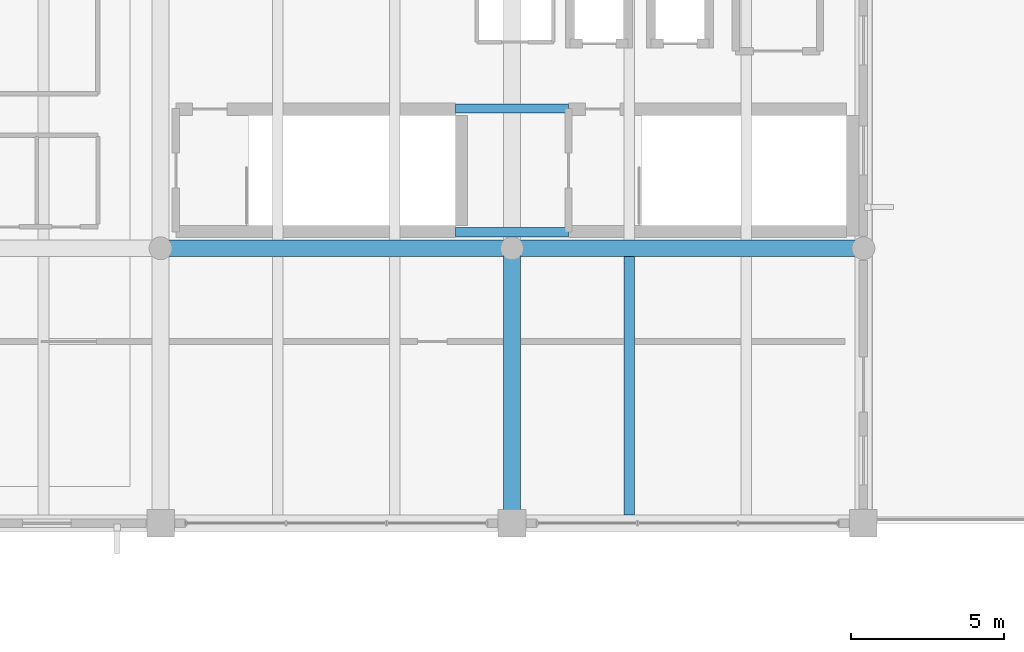
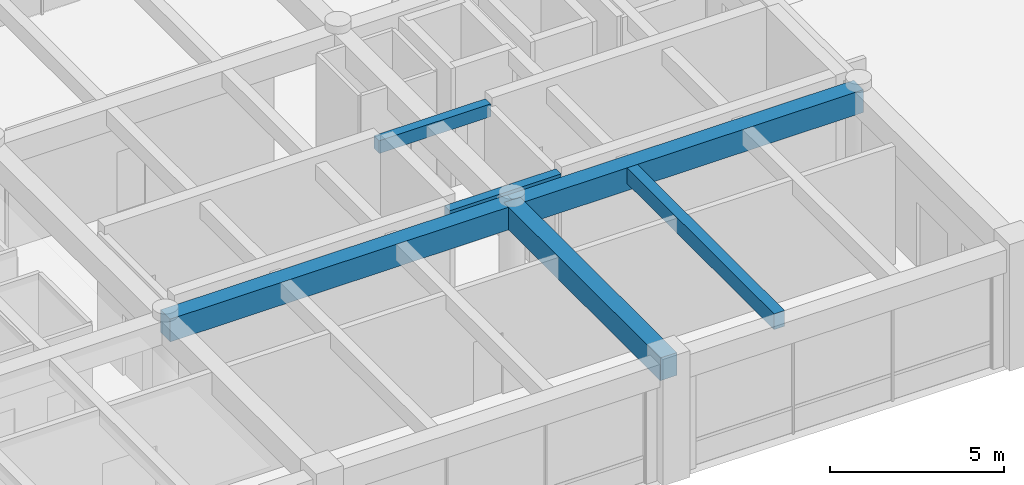
# One storey, part 14 of 27: 6 beams.
"""IFC4 building model written with IfcOpenShell, lengths in metres."""

import ifcopenshell
import ifcopenshell.guid

model = None  # the IFC model being written
_history = None  # IfcOwnerHistory: only IFC2X3 demands one
_inside = {}  # id of a spatial element -> (the spatial element, [elements in it])
_under = {}  # id of a project, library or spatial element -> (it, [spatial elements below it])
_declared = {}  # id of a project -> (the project, [libraries it declares])
_typed = {}  # id of a type object -> (the type object, [elements of that type])
_made_of = {}  # id of a material, layer set ... -> (it, [elements and type objects made of it])


def new_model(schema):
    """Start an empty IFC model of exactly this schema.

    Asked for "IFC4X3", IfcOpenShell would pick the latest addendum, in which some entities
    have other attributes; the version numbers below select the first issue.
    IFC2X3 requires an IfcOwnerHistory on every rooted entity: one is made here for all.
    """
    global model, _history
    if schema == "IFC4X3":
        model = ifcopenshell.file(schema_version=(4, 3, 0, 0))
    else:
        model = ifcopenshell.file(schema=schema)
    _inside.clear()
    _under.clear()
    _declared.clear()
    _typed.clear()
    _made_of.clear()
    _history = None
    if model.schema == "IFC2X3":
        org = make("IfcOrganization", Name="unknown")
        user = make(
            "IfcPersonAndOrganization",
            ThePerson=make("IfcPerson", FamilyName="unknown"),
            TheOrganization=org,
        )
        app = make(
            "IfcApplication",
            ApplicationDeveloper=org,
            Version="unknown",
            ApplicationFullName="unknown",
            ApplicationIdentifier="unknown",
        )
        _history = make(
            "IfcOwnerHistory",
            OwningUser=user,
            OwningApplication=app,
            ChangeAction="ADDED",
            CreationDate=0,
        )
    return model


def make(cls, **values):
    """One entity of the class cls with the attributes given. An attribute that is None is left unset."""
    return model.create_entity(
        cls, **{name: value for name, value in values.items() if value is not None}
    )


def rooted(cls, **values):
    """An entity with a GlobalId (a new one), such as an element, a storey or a relation."""
    return make(cls, GlobalId=ifcopenshell.guid.new(), OwnerHistory=_history, **values)


def si_unit(unit_type, name, prefix=None):
    """IfcSIUnit, for example si_unit("LENGTHUNIT", "METRE", prefix="MILLI")."""
    return make("IfcSIUnit", UnitType=unit_type, Prefix=prefix, Name=name)


def assignment(units):
    """IfcUnitAssignment: the units of a project."""
    return None if units is None else make("IfcUnitAssignment", Units=units)


def point(xyz):
    """IfcCartesianPoint."""
    return None if xyz is None else make("IfcCartesianPoint", Coordinates=xyz)


def direction(xyz):
    """IfcDirection."""
    return None if xyz is None else make("IfcDirection", DirectionRatios=xyz)


def frame(location, z_axis=None, x_axis=None):
    """IfcAxis2Placement3D, a coordinate frame: its origin and axes. An axis left out is left unset."""
    return make(
        "IfcAxis2Placement3D",
        Location=point(location),
        Axis=direction(z_axis),
        RefDirection=direction(x_axis),
    )


def frame_2d(location, x_axis=None):
    """IfcAxis2Placement2D, a coordinate frame in the plane: its origin and x axis."""
    return make(
        "IfcAxis2Placement2D", Location=point(location), RefDirection=direction(x_axis)
    )


def origin():
    """The frame at (0, 0, 0) with its axes left unset."""
    return frame((0.0, 0.0, 0.0))


def origin_2d():
    """The frame at (0, 0) in the plane with its x axis left unset."""
    return frame_2d((0.0, 0.0))


def place(relative_to, where):
    """IfcLocalPlacement: puts the frame where relative to a parent placement (None: the world)."""
    return make(
        "IfcLocalPlacement", PlacementRelTo=relative_to, RelativePlacement=where
    )


def context(
    kind, dimensions, precision=None, world=None, true_north=None, identifier=None
):
    """IfcGeometricRepresentationContext, for example the 3D "Model" context."""
    return make(
        "IfcGeometricRepresentationContext",
        ContextIdentifier=identifier,
        ContextType=kind,
        CoordinateSpaceDimension=dimensions,
        Precision=precision,
        WorldCoordinateSystem=world,
        TrueNorth=true_north,
    )


def subcontext(parent, identifier, kind, view, scale=None):
    """IfcGeometricRepresentationSubContext, for example "Body" below "Model"."""
    return make(
        "IfcGeometricRepresentationSubContext",
        ContextIdentifier=identifier,
        ContextType=kind,
        ParentContext=parent,
        TargetScale=scale,
        TargetView=view,
    )


def project(units=None, contexts=None):
    """IfcProject with its units and contexts."""
    return rooted(
        "IfcProject",
        Name="project",
        RepresentationContexts=contexts,
        UnitsInContext=assignment(units),
    )


def spatial(cls, under=None, at=None, **own):
    """A site, building, storey or space (cls), placed at a placement, below another one or the project."""
    s = rooted(cls, ObjectPlacement=at, **own)
    if under is not None:
        _under.setdefault(under.id(), (under, []))[1].append(s)
    return s


def profile(cls, at=None, kind="AREA", **sizes):
    """A parametric profile (cls). Its sizes go by their IFC names, for example OverallWidth=200.0."""
    return make(cls, ProfileType=kind, Position=at, **sizes)


def rectangle(**sizes):
    """IfcRectangleProfileDef."""
    return profile("IfcRectangleProfileDef", **sizes)


def extrude(swept, where, along, depth):
    """IfcExtrudedAreaSolid: the profile swept, set in the frame where, extruded along a direction by depth."""
    return make(
        "IfcExtrudedAreaSolid",
        SweptArea=swept,
        Position=where,
        ExtrudedDirection=direction(along),
        Depth=depth,
    )


def shape(context_of_items, identifier, shape_type, items):
    """IfcShapeRepresentation: the items that make up one representation, for example the "Body"."""
    return make(
        "IfcShapeRepresentation",
        ContextOfItems=context_of_items,
        RepresentationIdentifier=identifier,
        RepresentationType=shape_type,
        Items=items,
    )


def material(Name=None, Category=None):
    """IfcMaterial."""
    return make("IfcMaterial", Name=Name, Category=Category)


def material_profile(
    of_material, cross_section, Name=None, Category=None, Priority=None
):
    """IfcMaterialProfile: a cross section and its material."""
    return make(
        "IfcMaterialProfile",
        Name=Name,
        Material=of_material,
        Profile=cross_section,
        Priority=Priority,
        Category=Category,
    )


def profile_set(profiles, Name=None, composite=None):
    """IfcMaterialProfileSet."""
    return make(
        "IfcMaterialProfileSet",
        Name=Name,
        MaterialProfiles=profiles,
        CompositeProfile=composite,
    )


def made_of(thing, what):
    """Note that an element or type object is made of a material, layer set ...; save() writes the relation."""
    if what is not None:
        _made_of.setdefault(what.id(), (what, []))[1].append(thing)
    return thing


def type_object(cls, material=None, **own):
    """A type object (cls), such as IfcWallType, which elements share."""
    return made_of(rooted(cls, **own), material)


def element(
    cls,
    number,
    at=None,
    inside=None,
    cuts=None,
    type_object=None,
    material=None,
    context=None,
    identifier="Body",
    shape_type=None,
    held_by="IfcProductDefinitionShape",
    body=None,
    shapes=None,
    **own,
):
    """One element of the class cls, such as IfcWall. Its Tag is "e" and its number.

    at: its placement. inside: the storey or other place that contains it. cuts: it is an
    opening in that element (IfcRelVoidsElement). A single representation is given by context,
    identifier, shape_type and body (its items); several are given by shapes. held_by: the class
    of the entity that holds the representations. save() writes the other relations.
    """
    e = rooted(cls, Tag="e%d" % number, ObjectPlacement=at, **own)
    if body is not None:
        shapes = [shape(context, identifier, shape_type, body)]
    if shapes is not None:
        e.Representation = make(held_by, Representations=shapes)
    if inside is not None:
        _inside.setdefault(inside.id(), (inside, []))[1].append(e)
    if cuts is not None:
        rooted(
            "IfcRelVoidsElement", RelatingBuildingElement=cuts, RelatedOpeningElement=e
        )
    if type_object is not None:
        _typed.setdefault(type_object.id(), (type_object, []))[1].append(e)
    return made_of(e, material)


def aggregate(whole, parts):
    """IfcRelAggregates: a whole, such as a stair, and the parts it consists of."""
    return rooted("IfcRelAggregates", RelatingObject=whole, RelatedObjects=parts)


def save(model, path):
    """Write the relations noted so far, then the file.

    IfcRelAggregates (storeys below a building ...), IfcRelContainedInSpatialStructure (elements
    in a storey), IfcRelDefinesByType, IfcRelAssociatesMaterial and IfcRelDeclares: one each for
    every whole, place, type object, material and project.
    """
    for whole, parts in _under.values():
        aggregate(whole, parts)
    for where, things in _inside.values():
        rooted(
            "IfcRelContainedInSpatialStructure",
            RelatedElements=things,
            RelatingStructure=where,
        )
    for kind, things in _typed.values():
        rooted("IfcRelDefinesByType", RelatedObjects=things, RelatingType=kind)
    for what, things in _made_of.values():
        rooted("IfcRelAssociatesMaterial", RelatedObjects=things, RelatingMaterial=what)
    for by, libraries in _declared.values():
        rooted("IfcRelDeclares", RelatingContext=by, RelatedDefinitions=libraries)
    model.write(path)


model = new_model("IFC4")

# Units and contexts
model_context = context("Model", 3, precision=1e-05, world=origin(), true_north=direction((0.0, 1.0)))
body_context = subcontext(model_context, "Body", "Model", "MODEL_VIEW")
ifc_project = project(units=[si_unit("LENGTHUNIT", "METRE"), si_unit("AREAUNIT", "SQUARE_METRE"), si_unit("VOLUMEUNIT", "CUBIC_METRE"), si_unit("PLANEANGLEUNIT", "RADIAN"), si_unit("MASSUNIT", "GRAM", prefix="KILO")], contexts=[model_context])

# Site, building, storey
site_placement = place(None, origin())
site = spatial("IfcSite", under=ifc_project, at=site_placement, CompositionType="ELEMENT")
building_placement = place(site_placement, origin())
building = spatial("IfcBuilding", under=site, at=building_placement, Name="Ologun Quay Terminus", CompositionType="ELEMENT")
storey_placement = place(building_placement, frame((0.0, 0.0, 22.4599609375)))
storey = spatial("IfcBuildingStorey", under=building, at=storey_placement, Name="L05", CompositionType="ELEMENT", Elevation=22.4599609375)

# Beams
ifc_material_1 = material(Name="Concrete C40/50", Category="concrete")
ifc_material_profile_1 = material_profile(ifc_material_1, rectangle(XDim=0.300048828125, YDim=0.449951171875, at=origin_2d()), Name="RC 300x450")
ifc_profile_set_1 = profile_set([ifc_material_profile_1], Name="Concrete C40/50")
beam_type_1 = type_object("IfcBeamType", Name="Core Coupling Lintel Beam 300x450", PredefinedType="LINTEL", material=ifc_profile_set_1)
for number, where, z_axis, x_axis, name in (
    (1, (136.14990234375, 95.324951171875, 3.965087890625), (1.0, 0.0, 0.0), (0.0, 1.0, 0.0), "LN1 Beam 13/H L05"),
    (2, (136.14990234375, 99.375, 3.965087890625), (1.0, 0.0, 0.0), (0.0, 1.0, 0.0), "LN1 Beam 13/H L05"),
):
    element("IfcBeam", number, at=place(storey_placement, frame(where, z_axis=z_axis, x_axis=x_axis)), inside=storey, type_object=beam_type_1, Name=name, PredefinedType="LINTEL", context=body_context, shape_type="SweptSolid", body=[
        extrude(rectangle(XDim=0.300048828125, YDim=0.449951171875, at=origin_2d()), origin(), (0.0, 0.0, 1.0), 3.7001953125),
    ])
ifc_material_2 = material(Name="Concrete C40/50", Category="concrete")
ifc_material_profile_2 = material_profile(ifc_material_2, rectangle(XDim=0.550048828125, YDim=0.800048828125, at=origin_2d()), Name="RC 550x800")
ifc_profile_set_2 = profile_set([ifc_material_profile_2], Name="Concrete C40/50")
beam_type_2 = type_object("IfcBeamType", Name="Courtyard Wing Primary Girder 550x800", PredefinedType="BEAM", material=ifc_profile_set_2)
for number, where, z_axis, x_axis, name in (
    (3, (126.5, 94.800048828125, 3.760009765625), (1.0, 0.0, 0.0), (0.0, 1.0, 0.0), "B4 Beam 12/H L05"),
    (4, (138.0, 94.800048828125, 3.760009765625), (1.0, 0.0, 0.0), (0.0, 1.0, 0.0), "B4 Beam 13/H L05"),
):
    element("IfcBeam", number, at=place(storey_placement, frame(where, z_axis=z_axis, x_axis=x_axis)), inside=storey, type_object=beam_type_2, Name=name, PredefinedType="BEAM", context=body_context, shape_type="SweptSolid", body=[
        extrude(rectangle(XDim=0.550048828125, YDim=0.800048828125, at=origin_2d()), origin(), (0.0, 0.0, 1.0), 11.5),
    ])
beam_1_placement = place(storey_placement, frame((138.0, 85.800048828125, 3.760009765625), z_axis=(0.0, 1.0, 0.0), x_axis=(-1.0, 0.0, 0.0)))
element("IfcBeam", 5, at=beam_1_placement, inside=storey, type_object=beam_type_2, Name="B4 Beam 13/G2 L05", PredefinedType="BEAM", context=body_context, shape_type="SweptSolid", body=[
    extrude(rectangle(XDim=0.550048828125, YDim=0.800048828125, at=origin_2d()), origin(), (0.0, 0.0, 1.0), 9.0),
])
ifc_material_3 = material(Name="Concrete C40/50", Category="concrete")
ifc_material_profile_3 = material_profile(ifc_material_3, rectangle(XDim=0.35009765625, YDim=0.550048828125, at=origin_2d()), Name="RC 350x550")
ifc_profile_set_3 = profile_set([ifc_material_profile_3], Name="Concrete C40/50")
beam_type_3 = type_object("IfcBeamType", Name="Courtyard Wing Secondary Joist 350x550", PredefinedType="JOIST", material=ifc_profile_set_3)
beam_2_placement = place(storey_placement, frame((141.833251953125, 86.074951171875, 3.885009765625), z_axis=(0.0, 1.0, 0.0), x_axis=(-1.0, 0.0, 0.0)))
element("IfcBeam", 6, at=beam_2_placement, inside=storey, type_object=beam_type_3, Name="J2 Beam 13/G2 L05", PredefinedType="JOIST", context=body_context, shape_type="SweptSolid", body=[
    extrude(rectangle(XDim=0.35009765625, YDim=0.550048828125, at=origin_2d()), origin(), (0.0, 0.0, 1.0), 8.449951171875),
])

save(model, "model.ifc")
